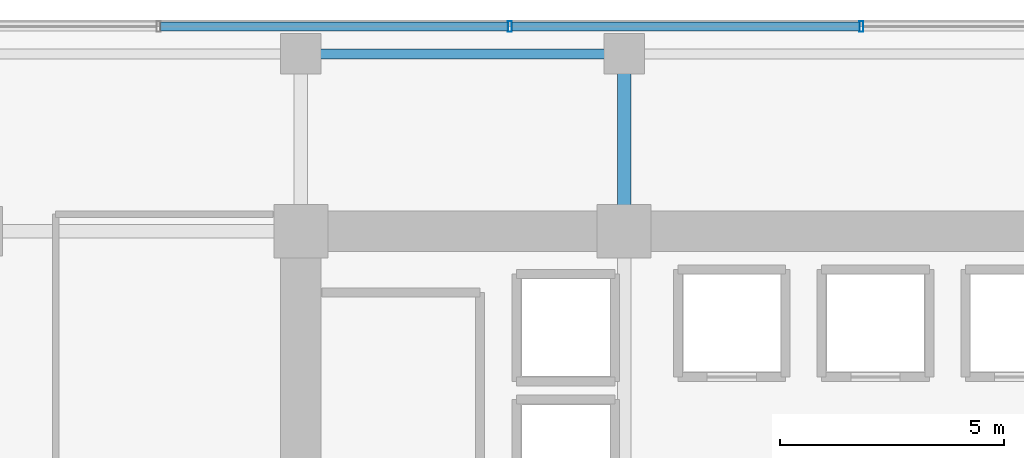
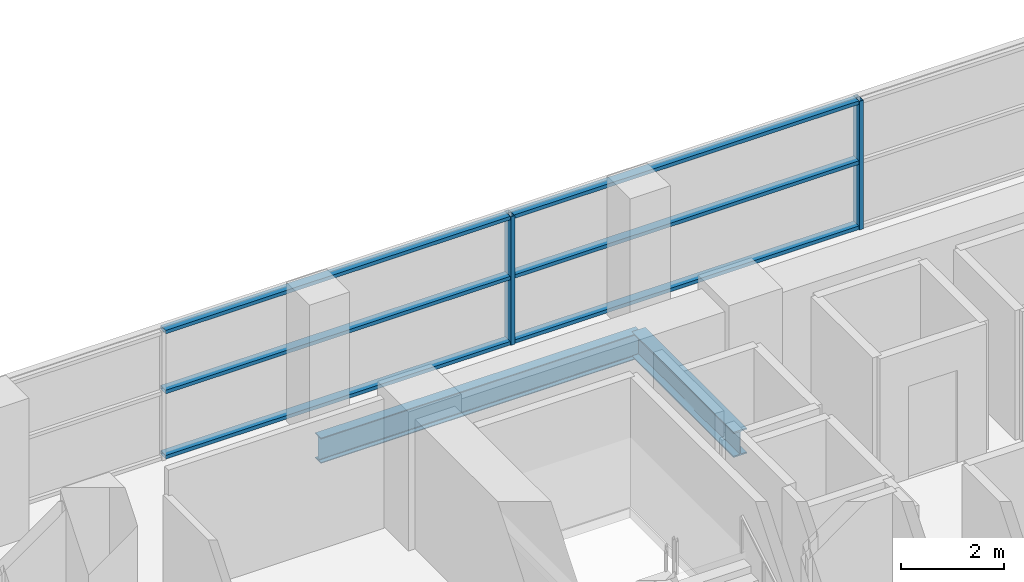
# One storey, part 14 of 26: 8 members, 2 beams, 1 element without a shape of its own.
"""IFC4 building model written with IfcOpenShell, lengths in metres."""

from ifc_helpers import new_model, si_unit, direction, frame, origin, origin_2d, place, context, subcontext, project, spatial, hollow_rectangle, i_section, extrude, source, transform, mapped, material, layer, layer_set, material_profile, profile_set, type_object, element, aggregate, save


model = new_model("IFC4")

# Units and contexts
model_context = context("Model", 3, precision=1e-05, world=origin(), true_north=direction((0.0, 1.0)))
body_context = subcontext(model_context, "Body", "Model", "MODEL_VIEW")
ifc_project = project(units=[si_unit("LENGTHUNIT", "METRE"), si_unit("AREAUNIT", "SQUARE_METRE"), si_unit("VOLUMEUNIT", "CUBIC_METRE"), si_unit("PLANEANGLEUNIT", "RADIAN"), si_unit("MASSUNIT", "GRAM", prefix="KILO")], contexts=[model_context])

# Site, building, storey
site_placement = place(None, origin())
site = spatial("IfcSite", under=ifc_project, at=site_placement, CompositionType="ELEMENT")
building_placement = place(site_placement, origin())
building = spatial("IfcBuilding", under=site, at=building_placement, Name="Zarnakvel Exchange Tower", CompositionType="ELEMENT")
storey_placement = place(building_placement, frame((0.0, 0.0, 70.300048828125)))
storey = spatial("IfcBuildingStorey", under=building, at=storey_placement, Name="L19", CompositionType="ELEMENT", Elevation=70.300048828125)

# Beams
ifc_material_1 = material(Name="Steel S355", Category="steel")
ifc_material_profile_1 = material_profile(ifc_material_1, i_section(OverallWidth=0.300048828125, OverallDepth=0.60009765625, WebThickness=0.015380859375, FlangeThickness=0.030029296875, FilletRadius=0.027099609375, at=origin_2d()))
ifc_profile_set_1 = profile_set([ifc_material_profile_1], Name="Steel S355")
beam_type_1 = type_object("IfcBeamType", Name="G-04", PredefinedType="BEAM", material=ifc_profile_set_1)
beam_1_placement = place(storey_placement, frame((-7.199951171875, 13.5, -0.525146484375), z_axis=(0.0, 1.0, 0.0), x_axis=(-1.0, 0.0, 0.0)))
element("IfcBeam", 1, at=beam_1_placement, inside=storey, type_object=beam_type_1, Name="L19 Tower N-S Frame Beam", PredefinedType="BEAM", context=body_context, shape_type="SweptSolid", body=[
    extrude(i_section(OverallWidth=0.300048828125, OverallDepth=0.60009765625, WebThickness=0.015380859375, FlangeThickness=0.030029296875, FilletRadius=0.027099609375, at=origin_2d()), origin(), (0.0, 0.0, 1.0), 3.949951171875),
])
ifc_material_profile_2 = material_profile(ifc_material_1, i_section(OverallWidth=0.219970703125, OverallDepth=0.60009765625, WebThickness=0.011962890625, FlangeThickness=0.01904296875, FilletRadius=0.02392578125, at=origin_2d()))
ifc_profile_set_2 = profile_set([ifc_material_profile_2], Name="Steel S355")
beam_type_2 = type_object("IfcBeamType", Name="SP-01", PredefinedType="SPANDREL", material=ifc_profile_set_2)
beam_2_placement = place(storey_placement, frame((-14.39990234375, 17.449951171875, -0.525146484375), z_axis=(1.0, 0.0, 0.0), x_axis=(0.0, 1.0, 0.0)))
element("IfcBeam", 2, at=beam_2_placement, inside=storey, type_object=beam_type_2, Name="L19 Tower E-W Frame Beam", PredefinedType="SPANDREL", context=body_context, shape_type="SweptSolid", body=[
    extrude(i_section(OverallWidth=0.219970703125, OverallDepth=0.60009765625, WebThickness=0.011962890625, FlangeThickness=0.01904296875, FilletRadius=0.02392578125, at=origin_2d()), origin(), (0.0, 0.0, 1.0), 7.199951171875),
])

# Curtain wall, members
ifc_material_2 = material(Name="Architectural Bronze Anodised Aluminium", Category="aluminium")
ifc_layer = layer(ifc_material_2, 0.239990234375)
ifc_layer_set = layer_set([ifc_layer], Name="Architectural Bronze Anodised Aluminium")
curtain_wall_type = type_object("IfcCurtainWallType", Name="CW-02", PredefinedType="NOTDEFINED", material=ifc_layer_set)
curtain_wall_placement = place(storey_placement, origin())
curtain_wall = element("IfcCurtainWall", 3, at=curtain_wall_placement, inside=storey, type_object=curtain_wall_type, Name="L19 Curtain Wall CW-L19-N1 (CW-02)", PredefinedType="NOTDEFINED")
ifc_material_profile_3 = material_profile(ifc_material_2, hollow_rectangle(XDim=0.199951171875, YDim=0.0849609375, WallThickness=0.0048828125, at=origin_2d()))
ifc_profile_set_3 = profile_set([ifc_material_profile_3], Name="Architectural Bronze Anodised Aluminium")
member_type_1 = type_object("IfcMemberType", Name="CWT-02", PredefinedType="USERDEFINED", material=ifc_profile_set_3)
shared_shape_1 = source(origin(), body_context, "Body", "SweptSolid", [
    extrude(hollow_rectangle(XDim=0.199951171875, YDim=0.0849609375, WallThickness=0.0048828125, at=origin_2d()), origin(), (0.0, 0.0, 1.0), 7.738525390625),
])
member_1_placement = place(storey_placement, frame((-17.5263671875, 18.06005859375, 0.04248046875), z_axis=(1.0, 0.0, 0.0), x_axis=(0.0, 1.0, 0.0)))
member_1 = element("IfcMember", 4, at=member_1_placement, type_object=member_type_1, Name="CW-02 transom 2.1", ObjectType="TRANSOM", PredefinedType="USERDEFINED", context=body_context, shape_type="MappedRepresentation", body=[
    mapped(shared_shape_1, transform((0.0, 0.0, 0.0), x_axis=(1.0, 0.0, 0.0), y_axis=(0.0, 1.0, 0.0), z_axis=(0.0, 0.0, 1.0), scale=1.0)),
])
member_2_placement = place(storey_placement, frame((-17.5263671875, 18.06005859375, 1.588623046875), z_axis=(1.0, 0.0, 0.0), x_axis=(0.0, 1.0, 0.0)))
member_2 = element("IfcMember", 5, at=member_2_placement, type_object=member_type_1, Name="CW-02 transom 2.2", ObjectType="TRANSOM", PredefinedType="USERDEFINED", context=body_context, shape_type="MappedRepresentation", body=[
    mapped(shared_shape_1, transform((0.0, 0.0, 0.0), x_axis=(1.0, 0.0, 0.0), y_axis=(0.0, 1.0, 0.0), z_axis=(0.0, 0.0, 1.0), scale=1.0)),
])
member_3_placement = place(storey_placement, frame((-17.5263671875, 18.06005859375, 3.012451171875), z_axis=(1.0, 0.0, 0.0), x_axis=(0.0, 1.0, 0.0)))
member_3 = element("IfcMember", 6, at=member_3_placement, type_object=member_type_1, Name="CW-02 transom 2.3", ObjectType="TRANSOM", PredefinedType="USERDEFINED", context=body_context, shape_type="MappedRepresentation", body=[
    mapped(shared_shape_1, transform((0.0, 0.0, 0.0), x_axis=(1.0, 0.0, 0.0), y_axis=(0.0, 1.0, 0.0), z_axis=(0.0, 0.0, 1.0), scale=1.0)),
])
member_4_placement = place(storey_placement, frame((-9.69775390625, 18.06005859375, 0.04248046875), z_axis=(1.0, 0.0, 0.0), x_axis=(0.0, 1.0, 0.0)))
member_4 = element("IfcMember", 7, at=member_4_placement, type_object=member_type_1, Name="CW-02 transom 3.1", ObjectType="TRANSOM", PredefinedType="USERDEFINED", context=body_context, shape_type="MappedRepresentation", body=[
    mapped(shared_shape_1, transform((0.0, 0.0, 0.0), x_axis=(1.0, 0.0, 0.0), y_axis=(0.0, 1.0, 0.0), z_axis=(0.0, 0.0, 1.0), scale=1.0)),
])
member_5_placement = place(storey_placement, frame((-9.69775390625, 18.06005859375, 1.588623046875), z_axis=(1.0, 0.0, 0.0), x_axis=(0.0, 1.0, 0.0)))
member_5 = element("IfcMember", 8, at=member_5_placement, type_object=member_type_1, Name="CW-02 transom 3.2", ObjectType="TRANSOM", PredefinedType="USERDEFINED", context=body_context, shape_type="MappedRepresentation", body=[
    mapped(shared_shape_1, transform((0.0, 0.0, 0.0), x_axis=(1.0, 0.0, 0.0), y_axis=(0.0, 1.0, 0.0), z_axis=(0.0, 0.0, 1.0), scale=1.0)),
])
member_6_placement = place(storey_placement, frame((-9.69775390625, 18.06005859375, 3.012451171875), z_axis=(1.0, 0.0, 0.0), x_axis=(0.0, 1.0, 0.0)))
member_6 = element("IfcMember", 9, at=member_6_placement, type_object=member_type_1, Name="CW-02 transom 3.3", ObjectType="TRANSOM", PredefinedType="USERDEFINED", context=body_context, shape_type="MappedRepresentation", body=[
    mapped(shared_shape_1, transform((0.0, 0.0, 0.0), x_axis=(1.0, 0.0, 0.0), y_axis=(0.0, 1.0, 0.0), z_axis=(0.0, 0.0, 1.0), scale=1.0)),
])
ifc_material_profile_4 = material_profile(ifc_material_2, hollow_rectangle(XDim=0.239990234375, YDim=0.090087890625, WallThickness=0.006103515625, at=origin_2d()))
ifc_profile_set_4 = profile_set([ifc_material_profile_4], Name="Architectural Bronze Anodised Aluminium")
member_type_2 = type_object("IfcMemberType", Name="CWM-02", PredefinedType="MULLION", material=ifc_profile_set_4)
shared_shape_2 = source(origin(), body_context, "Body", "SweptSolid", [
    extrude(hollow_rectangle(XDim=0.239990234375, YDim=0.090087890625, WallThickness=0.006103515625, at=origin_2d()), origin(), (0.0, 0.0, 1.0), 3.054931640625),
])
member_7_placement = place(storey_placement, frame((-9.742919921875, 18.06005859375, 0.0), z_axis=(0.0, 0.0, 1.0), x_axis=(0.0, 1.0, 0.0)))
member_7 = element("IfcMember", 10, at=member_7_placement, type_object=member_type_2, Name="CW-02 mullion 3", PredefinedType="MULLION", context=body_context, shape_type="MappedRepresentation", body=[
    mapped(shared_shape_2, transform((0.0, 0.0, 0.0), x_axis=(1.0, 0.0, 0.0), y_axis=(0.0, 1.0, 0.0), z_axis=(0.0, 0.0, 1.0), scale=1.0)),
])
member_8_placement = place(storey_placement, frame((-1.914306640625, 18.06005859375, 0.0), z_axis=(0.0, 0.0, 1.0), x_axis=(0.0, 1.0, 0.0)))
member_8 = element("IfcMember", 11, at=member_8_placement, type_object=member_type_2, Name="CW-02 mullion 4", PredefinedType="MULLION", context=body_context, shape_type="MappedRepresentation", body=[
    mapped(shared_shape_2, transform((0.0, 0.0, 0.0), x_axis=(1.0, 0.0, 0.0), y_axis=(0.0, 1.0, 0.0), z_axis=(0.0, 0.0, 1.0), scale=1.0)),
])
aggregate(curtain_wall, [member_7, member_8, member_1, member_2, member_3, member_4, member_5, member_6])

save(model, "model.ifc")
